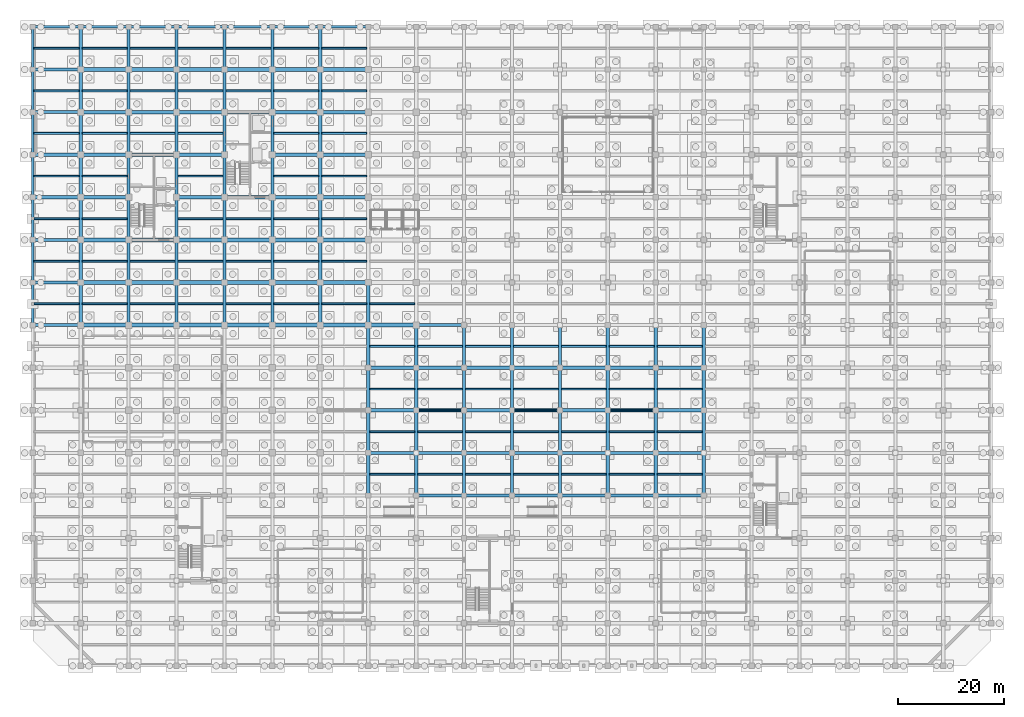
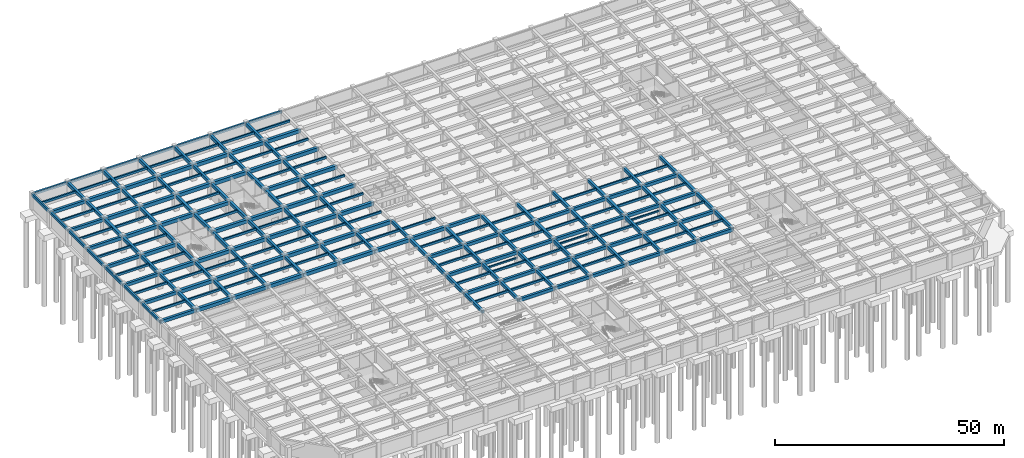
# One storey, part 13 of 31: 242 beams.
"""IFC4 building model written with IfcOpenShell, lengths in metres."""

from ifc_helpers import new_model, si_unit, direction, frame, origin, origin_2d, place, context, subcontext, project, spatial, rectangle, extrude, material, material_profile, profile_set, type_object, element, save


model = new_model("IFC4")

# Units and contexts
model_context = context("Model", 3, precision=1e-05, world=origin(), true_north=direction((0.0, 1.0)))
body_context = subcontext(model_context, "Body", "Model", "MODEL_VIEW")
ifc_project = project(units=[si_unit("LENGTHUNIT", "METRE"), si_unit("AREAUNIT", "SQUARE_METRE"), si_unit("VOLUMEUNIT", "CUBIC_METRE"), si_unit("PLANEANGLEUNIT", "RADIAN"), si_unit("MASSUNIT", "GRAM", prefix="KILO")], contexts=[model_context])

# Site, building, storey
site_placement = place(None, origin())
site = spatial("IfcSite", under=ifc_project, at=site_placement, CompositionType="ELEMENT")
building_placement = place(site_placement, origin())
building = spatial("IfcBuilding", under=site, at=building_placement, Name="Zaverband Oceanarium and Marine Research Institute", CompositionType="ELEMENT")
storey_placement = place(building_placement, frame((0.0, 0.0, -9.0)))
storey = spatial("IfcBuildingStorey", under=building, at=storey_placement, Name="B2", CompositionType="ELEMENT", Elevation=-9.0)

# Beams
ifc_material_1 = material(Name="Concrete C40/50", Category="concrete")
ifc_material_profile_1 = material_profile(ifc_material_1, rectangle(XDim=0.60009765625, YDim=0.85009765625, at=origin_2d()), Name="RC600x850")
ifc_profile_set_1 = profile_set([ifc_material_profile_1], Name="Concrete C40/50")
beam_type_1 = type_object("IfcBeamType", Name="BM-600x850", PredefinedType="BEAM", material=ifc_profile_set_1)
for number, where, z_axis, x_axis, name in (
    (1, (72.0, 32.0, 3.77490234375), (1.0, 0.0, 0.0), (0.0, 1.0, 0.0), "Primary floor girder BM-600x850"),
    (2, (81.0, 32.0, 3.77490234375), (1.0, 0.0, 0.0), (0.0, 1.0, 0.0), "Primary floor girder BM-600x850"),
    (3, (90.0, 32.0, 3.77490234375), (1.0, 0.0, 0.0), (0.0, 1.0, 0.0), "Primary floor girder BM-600x850"),
    (4, (99.0, 32.0, 3.77490234375), (1.0, 0.0, 0.0), (0.0, 1.0, 0.0), "Primary floor girder BM-600x850"),
    (5, (108.0, 32.0, 3.77490234375), (1.0, 0.0, 0.0), (0.0, 1.0, 0.0), "Primary floor girder BM-600x850"),
    (6, (117.0, 32.0, 3.77490234375), (1.0, 0.0, 0.0), (0.0, 1.0, 0.0), "Primary floor girder BM-600x850"),
    (7, (63.0, 40.0, 3.77490234375), (1.0, 0.0, 0.0), (0.0, 1.0, 0.0), "Primary floor girder BM-600x850"),
    (8, (72.0, 40.0, 3.77490234375), (1.0, 0.0, 0.0), (0.0, 1.0, 0.0), "Primary floor girder BM-600x850"),
    (9, (81.0, 40.0, 3.77490234375), (1.0, 0.0, 0.0), (0.0, 1.0, 0.0), "Primary floor girder BM-600x850"),
    (10, (90.0, 40.0, 3.77490234375), (1.0, 0.0, 0.0), (0.0, 1.0, 0.0), "Primary floor girder BM-600x850"),
    (11, (99.0, 40.0, 3.77490234375), (1.0, 0.0, 0.0), (0.0, 1.0, 0.0), "Primary floor girder BM-600x850"),
    (12, (108.0, 40.0, 3.77490234375), (1.0, 0.0, 0.0), (0.0, 1.0, 0.0), "Primary floor girder BM-600x850"),
    (13, (117.0, 40.0, 3.77490234375), (1.0, 0.0, 0.0), (0.0, 1.0, 0.0), "Primary floor girder BM-600x850"),
    (14, (63.0, 48.0, 3.77490234375), (1.0, 0.0, 0.0), (0.0, 1.0, 0.0), "Primary floor girder BM-600x850"),
    (15, (72.0, 48.0, 3.77490234375), (1.0, 0.0, 0.0), (0.0, 1.0, 0.0), "Primary floor girder BM-600x850"),
    (16, (81.0, 48.0, 3.77490234375), (1.0, 0.0, 0.0), (0.0, 1.0, 0.0), "Primary floor girder BM-600x850"),
    (17, (90.0, 48.0, 3.77490234375), (1.0, 0.0, 0.0), (0.0, 1.0, 0.0), "Primary floor girder BM-600x850"),
    (18, (99.0, 48.0, 3.77490234375), (1.0, 0.0, 0.0), (0.0, 1.0, 0.0), "Primary floor girder BM-600x850"),
    (19, (108.0, 48.0, 3.77490234375), (1.0, 0.0, 0.0), (0.0, 1.0, 0.0), "Primary floor girder BM-600x850"),
    (20, (117.0, 48.0, 3.77490234375), (1.0, 0.0, 0.0), (0.0, 1.0, 0.0), "Primary floor girder BM-600x850"),
    (21, (63.0, 56.0, 3.77490234375), (1.0, 0.0, 0.0), (0.0, 1.0, 0.0), "Primary floor girder BM-600x850"),
    (22, (72.0, 56.0, 3.77490234375), (1.0, 0.0, 0.0), (0.0, 1.0, 0.0), "Primary floor girder BM-600x850"),
    (23, (81.0, 56.0, 3.77490234375), (1.0, 0.0, 0.0), (0.0, 1.0, 0.0), "Primary floor girder BM-600x850"),
    (24, (90.0, 56.0, 3.77490234375), (1.0, 0.0, 0.0), (0.0, 1.0, 0.0), "Primary floor girder BM-600x850"),
    (25, (99.0, 56.0, 3.77490234375), (1.0, 0.0, 0.0), (0.0, 1.0, 0.0), "Primary floor girder BM-600x850"),
    (26, (108.0, 56.0, 3.77490234375), (1.0, 0.0, 0.0), (0.0, 1.0, 0.0), "Primary floor girder BM-600x850"),
    (27, (117.0, 56.0, 3.77490234375), (1.0, 0.0, 0.0), (0.0, 1.0, 0.0), "Primary floor girder BM-600x850"),
    (28, (0.0, 64.0, 3.77490234375), (1.0, 0.0, 0.0), (0.0, 1.0, 0.0), "Primary floor girder BM-600x850"),
    (29, (72.0, 64.0, 3.77490234375), (1.0, 0.0, 0.0), (0.0, 1.0, 0.0), "Primary floor girder BM-600x850"),
    (30, (0.0, 72.0, 3.77490234375), (1.0, 0.0, 0.0), (0.0, 1.0, 0.0), "Primary floor girder BM-600x850"),
    (31, (0.0, 80.0, 3.77490234375), (1.0, 0.0, 0.0), (0.0, 1.0, 0.0), "Primary floor girder BM-600x850"),
    (32, (0.0, 88.0, 3.77490234375), (1.0, 0.0, 0.0), (0.0, 1.0, 0.0), "Primary floor girder BM-600x850"),
    (33, (0.0, 96.0, 3.77490234375), (1.0, 0.0, 0.0), (0.0, 1.0, 0.0), "Primary floor girder BM-600x850"),
    (34, (0.0, 104.0, 3.77490234375), (1.0, 0.0, 0.0), (0.0, 1.0, 0.0), "Primary floor girder BM-600x850"),
    (35, (0.0, 112.0, 3.77490234375), (1.0, 0.0, 0.0), (0.0, 1.0, 0.0), "Primary floor girder BM-600x850"),
):
    element("IfcBeam", number, at=place(storey_placement, frame(where, z_axis=z_axis, x_axis=x_axis)), inside=storey, type_object=beam_type_1, Name=name, PredefinedType="BEAM", context=body_context, shape_type="SweptSolid", body=[
        extrude(rectangle(XDim=0.60009765625, YDim=0.85009765625, at=origin_2d()), origin(), (0.0, 0.0, 1.0), 9.0),
    ])
for number, where, z_axis, x_axis, name in (
    (36, (9.0, 64.0, 3.77490234375), (0.0, 1.0, 0.0), (-1.0, 0.0, 0.0), "Primary floor girder BM-600x850"),
    (37, (9.0, 72.0, 3.77490234375), (0.0, 1.0, 0.0), (-1.0, 0.0, 0.0), "Primary floor girder BM-600x850"),
    (38, (9.0, 80.0, 3.77490234375), (0.0, 1.0, 0.0), (-1.0, 0.0, 0.0), "Primary floor girder BM-600x850"),
    (39, (9.0, 88.0, 3.77490234375), (0.0, 1.0, 0.0), (-1.0, 0.0, 0.0), "Primary floor girder BM-600x850"),
    (40, (9.0, 96.0, 3.77490234375), (0.0, 1.0, 0.0), (-1.0, 0.0, 0.0), "Primary floor girder BM-600x850"),
    (41, (9.0, 104.0, 3.77490234375), (0.0, 1.0, 0.0), (-1.0, 0.0, 0.0), "Primary floor girder BM-600x850"),
    (42, (9.0, 112.0, 3.77490234375), (0.0, 1.0, 0.0), (-1.0, 0.0, 0.0), "Primary floor girder BM-600x850"),
    (43, (18.0, 64.0, 3.77490234375), (0.0, 1.0, 0.0), (-1.0, 0.0, 0.0), "Primary floor girder BM-600x850"),
    (44, (18.0, 72.0, 3.77490234375), (0.0, 1.0, 0.0), (-1.0, 0.0, 0.0), "Primary floor girder BM-600x850"),
    (45, (18.0, 80.0, 3.77490234375), (0.0, 1.0, 0.0), (-1.0, 0.0, 0.0), "Primary floor girder BM-600x850"),
    (46, (18.0, 88.0, 3.77490234375), (0.0, 1.0, 0.0), (-1.0, 0.0, 0.0), "Primary floor girder BM-600x850"),
    (47, (18.0, 96.0, 3.77490234375), (0.0, 1.0, 0.0), (-1.0, 0.0, 0.0), "Primary floor girder BM-600x850"),
    (48, (18.0, 104.0, 3.77490234375), (0.0, 1.0, 0.0), (-1.0, 0.0, 0.0), "Primary floor girder BM-600x850"),
    (49, (18.0, 112.0, 3.77490234375), (0.0, 1.0, 0.0), (-1.0, 0.0, 0.0), "Primary floor girder BM-600x850"),
    (50, (27.0, 64.0, 3.77490234375), (0.0, 1.0, 0.0), (-1.0, 0.0, 0.0), "Primary floor girder BM-600x850"),
    (51, (27.0, 72.0, 3.77490234375), (0.0, 1.0, 0.0), (-1.0, 0.0, 0.0), "Primary floor girder BM-600x850"),
    (52, (27.0, 80.0, 3.77490234375), (0.0, 1.0, 0.0), (-1.0, 0.0, 0.0), "Primary floor girder BM-600x850"),
    (53, (27.0, 88.0, 3.77490234375), (0.0, 1.0, 0.0), (-1.0, 0.0, 0.0), "Primary floor girder BM-600x850"),
    (54, (27.0, 96.0, 3.77490234375), (0.0, 1.0, 0.0), (-1.0, 0.0, 0.0), "Primary floor girder BM-600x850"),
    (55, (27.0, 104.0, 3.77490234375), (0.0, 1.0, 0.0), (-1.0, 0.0, 0.0), "Primary floor girder BM-600x850"),
    (56, (27.0, 112.0, 3.77490234375), (0.0, 1.0, 0.0), (-1.0, 0.0, 0.0), "Primary floor girder BM-600x850"),
    (57, (36.0, 64.0, 3.77490234375), (0.0, 1.0, 0.0), (-1.0, 0.0, 0.0), "Primary floor girder BM-600x850"),
    (58, (36.0, 72.0, 3.77490234375), (0.0, 1.0, 0.0), (-1.0, 0.0, 0.0), "Primary floor girder BM-600x850"),
    (59, (36.0, 80.0, 3.77490234375), (0.0, 1.0, 0.0), (-1.0, 0.0, 0.0), "Primary floor girder BM-600x850"),
    (60, (36.0, 88.0, 3.77490234375), (0.0, 1.0, 0.0), (-1.0, 0.0, 0.0), "Primary floor girder BM-600x850"),
    (61, (36.0, 96.0, 3.77490234375), (0.0, 1.0, 0.0), (-1.0, 0.0, 0.0), "Primary floor girder BM-600x850"),
    (62, (36.0, 104.0, 3.77490234375), (0.0, 1.0, 0.0), (-1.0, 0.0, 0.0), "Primary floor girder BM-600x850"),
    (63, (36.0, 112.0, 3.77490234375), (0.0, 1.0, 0.0), (-1.0, 0.0, 0.0), "Primary floor girder BM-600x850"),
    (64, (45.0, 64.0, 3.77490234375), (0.0, 1.0, 0.0), (-1.0, 0.0, 0.0), "Primary floor girder BM-600x850"),
    (65, (45.0, 72.0, 3.77490234375), (0.0, 1.0, 0.0), (-1.0, 0.0, 0.0), "Primary floor girder BM-600x850"),
    (66, (45.0, 80.0, 3.77490234375), (0.0, 1.0, 0.0), (-1.0, 0.0, 0.0), "Primary floor girder BM-600x850"),
    (67, (45.0, 88.0, 3.77490234375), (0.0, 1.0, 0.0), (-1.0, 0.0, 0.0), "Primary floor girder BM-600x850"),
    (68, (45.0, 96.0, 3.77490234375), (0.0, 1.0, 0.0), (-1.0, 0.0, 0.0), "Primary floor girder BM-600x850"),
    (69, (45.0, 104.0, 3.77490234375), (0.0, 1.0, 0.0), (-1.0, 0.0, 0.0), "Primary floor girder BM-600x850"),
    (70, (45.0, 112.0, 3.77490234375), (0.0, 1.0, 0.0), (-1.0, 0.0, 0.0), "Primary floor girder BM-600x850"),
    (71, (54.0, 64.0, 3.77490234375), (0.0, 1.0, 0.0), (-1.0, 0.0, 0.0), "Primary floor girder BM-600x850"),
    (72, (54.0, 72.0, 3.77490234375), (0.0, 1.0, 0.0), (-1.0, 0.0, 0.0), "Primary floor girder BM-600x850"),
    (73, (54.0, 80.0, 3.77490234375), (0.0, 1.0, 0.0), (-1.0, 0.0, 0.0), "Primary floor girder BM-600x850"),
    (74, (54.0, 88.0, 3.77490234375), (0.0, 1.0, 0.0), (-1.0, 0.0, 0.0), "Primary floor girder BM-600x850"),
    (75, (54.0, 96.0, 3.77490234375), (0.0, 1.0, 0.0), (-1.0, 0.0, 0.0), "Primary floor girder BM-600x850"),
    (76, (54.0, 104.0, 3.77490234375), (0.0, 1.0, 0.0), (-1.0, 0.0, 0.0), "Primary floor girder BM-600x850"),
    (77, (54.0, 112.0, 3.77490234375), (0.0, 1.0, 0.0), (-1.0, 0.0, 0.0), "Primary floor girder BM-600x850"),
    (78, (63.0, 32.0, 3.77490234375), (0.0, 1.0, 0.0), (-1.0, 0.0, 0.0), "Primary floor girder BM-600x850"),
    (79, (63.0, 40.0, 3.77490234375), (0.0, 1.0, 0.0), (-1.0, 0.0, 0.0), "Primary floor girder BM-600x850"),
    (80, (63.0, 48.0, 3.77490234375), (0.0, 1.0, 0.0), (-1.0, 0.0, 0.0), "Primary floor girder BM-600x850"),
    (81, (63.0, 56.0, 3.77490234375), (0.0, 1.0, 0.0), (-1.0, 0.0, 0.0), "Primary floor girder BM-600x850"),
    (82, (63.0, 64.0, 3.77490234375), (0.0, 1.0, 0.0), (-1.0, 0.0, 0.0), "Primary floor girder BM-600x850"),
    (83, (72.0, 32.0, 3.77490234375), (0.0, 1.0, 0.0), (-1.0, 0.0, 0.0), "Primary floor girder BM-600x850"),
    (84, (72.0, 40.0, 3.77490234375), (0.0, 1.0, 0.0), (-1.0, 0.0, 0.0), "Primary floor girder BM-600x850"),
    (85, (72.0, 48.0, 3.77490234375), (0.0, 1.0, 0.0), (-1.0, 0.0, 0.0), "Primary floor girder BM-600x850"),
    (86, (72.0, 56.0, 3.77490234375), (0.0, 1.0, 0.0), (-1.0, 0.0, 0.0), "Primary floor girder BM-600x850"),
    (87, (81.0, 32.0, 3.77490234375), (0.0, 1.0, 0.0), (-1.0, 0.0, 0.0), "Primary floor girder BM-600x850"),
    (88, (81.0, 40.0, 3.77490234375), (0.0, 1.0, 0.0), (-1.0, 0.0, 0.0), "Primary floor girder BM-600x850"),
    (89, (81.0, 48.0, 3.77490234375), (0.0, 1.0, 0.0), (-1.0, 0.0, 0.0), "Primary floor girder BM-600x850"),
    (90, (81.0, 56.0, 3.77490234375), (0.0, 1.0, 0.0), (-1.0, 0.0, 0.0), "Primary floor girder BM-600x850"),
    (91, (90.0, 32.0, 3.77490234375), (0.0, 1.0, 0.0), (-1.0, 0.0, 0.0), "Primary floor girder BM-600x850"),
    (92, (90.0, 40.0, 3.77490234375), (0.0, 1.0, 0.0), (-1.0, 0.0, 0.0), "Primary floor girder BM-600x850"),
    (93, (90.0, 48.0, 3.77490234375), (0.0, 1.0, 0.0), (-1.0, 0.0, 0.0), "Primary floor girder BM-600x850"),
    (94, (90.0, 56.0, 3.77490234375), (0.0, 1.0, 0.0), (-1.0, 0.0, 0.0), "Primary floor girder BM-600x850"),
    (95, (99.0, 32.0, 3.77490234375), (0.0, 1.0, 0.0), (-1.0, 0.0, 0.0), "Primary floor girder BM-600x850"),
    (96, (99.0, 40.0, 3.77490234375), (0.0, 1.0, 0.0), (-1.0, 0.0, 0.0), "Primary floor girder BM-600x850"),
    (97, (99.0, 48.0, 3.77490234375), (0.0, 1.0, 0.0), (-1.0, 0.0, 0.0), "Primary floor girder BM-600x850"),
    (98, (99.0, 56.0, 3.77490234375), (0.0, 1.0, 0.0), (-1.0, 0.0, 0.0), "Primary floor girder BM-600x850"),
    (99, (108.0, 32.0, 3.77490234375), (0.0, 1.0, 0.0), (-1.0, 0.0, 0.0), "Primary floor girder BM-600x850"),
    (100, (108.0, 40.0, 3.77490234375), (0.0, 1.0, 0.0), (-1.0, 0.0, 0.0), "Primary floor girder BM-600x850"),
    (101, (108.0, 48.0, 3.77490234375), (0.0, 1.0, 0.0), (-1.0, 0.0, 0.0), "Primary floor girder BM-600x850"),
    (102, (108.0, 56.0, 3.77490234375), (0.0, 1.0, 0.0), (-1.0, 0.0, 0.0), "Primary floor girder BM-600x850"),
    (103, (117.0, 32.0, 3.77490234375), (0.0, 1.0, 0.0), (-1.0, 0.0, 0.0), "Primary floor girder BM-600x850"),
    (104, (117.0, 40.0, 3.77490234375), (0.0, 1.0, 0.0), (-1.0, 0.0, 0.0), "Primary floor girder BM-600x850"),
    (105, (117.0, 48.0, 3.77490234375), (0.0, 1.0, 0.0), (-1.0, 0.0, 0.0), "Primary floor girder BM-600x850"),
    (106, (117.0, 56.0, 3.77490234375), (0.0, 1.0, 0.0), (-1.0, 0.0, 0.0), "Primary floor girder BM-600x850"),
    (107, (126.0, 32.0, 3.77490234375), (0.0, 1.0, 0.0), (-1.0, 0.0, 0.0), "Primary floor girder BM-600x850"),
    (108, (126.0, 40.0, 3.77490234375), (0.0, 1.0, 0.0), (-1.0, 0.0, 0.0), "Primary floor girder BM-600x850"),
    (109, (126.0, 48.0, 3.77490234375), (0.0, 1.0, 0.0), (-1.0, 0.0, 0.0), "Primary floor girder BM-600x850"),
    (110, (126.0, 56.0, 3.77490234375), (0.0, 1.0, 0.0), (-1.0, 0.0, 0.0), "Primary floor girder BM-600x850"),
):
    element("IfcBeam", number, at=place(storey_placement, frame(where, z_axis=z_axis, x_axis=x_axis)), inside=storey, type_object=beam_type_1, Name=name, PredefinedType="BEAM", context=body_context, shape_type="SweptSolid", body=[
        extrude(rectangle(XDim=0.60009765625, YDim=0.85009765625, at=origin_2d()), origin(), (0.0, 0.0, 1.0), 8.0),
    ])
ifc_material_2 = material(Name="Concrete C50/60", Category="concrete")
ifc_material_profile_2 = material_profile(ifc_material_2, rectangle(XDim=0.699951171875, YDim=0.949951171875, at=origin_2d()), Name="RC700x950")
ifc_profile_set_2 = profile_set([ifc_material_profile_2], Name="Concrete C50/60")
beam_type_2 = type_object("IfcBeamType", Name="BM-700x950", PredefinedType="BEAM", material=ifc_profile_set_2)
for number, where, z_axis, x_axis, name in (
    (111, (9.0, 64.0, 3.72509765625), (1.0, 0.0, 0.0), (0.0, 1.0, 0.0), "Primary floor girder BM-700x950"),
    (112, (18.0, 64.0, 3.72509765625), (1.0, 0.0, 0.0), (0.0, 1.0, 0.0), "Primary floor girder BM-700x950"),
    (113, (27.0, 64.0, 3.72509765625), (1.0, 0.0, 0.0), (0.0, 1.0, 0.0), "Primary floor girder BM-700x950"),
    (114, (36.0, 64.0, 3.72509765625), (1.0, 0.0, 0.0), (0.0, 1.0, 0.0), "Primary floor girder BM-700x950"),
    (115, (45.0, 64.0, 3.72509765625), (1.0, 0.0, 0.0), (0.0, 1.0, 0.0), "Primary floor girder BM-700x950"),
    (116, (54.0, 64.0, 3.72509765625), (1.0, 0.0, 0.0), (0.0, 1.0, 0.0), "Primary floor girder BM-700x950"),
    (117, (63.0, 64.0, 3.72509765625), (1.0, 0.0, 0.0), (0.0, 1.0, 0.0), "Primary floor girder BM-700x950"),
    (118, (9.0, 72.0, 3.72509765625), (1.0, 0.0, 0.0), (0.0, 1.0, 0.0), "Primary floor girder BM-700x950"),
    (119, (18.0, 72.0, 3.72509765625), (1.0, 0.0, 0.0), (0.0, 1.0, 0.0), "Primary floor girder BM-700x950"),
    (120, (27.0, 72.0, 3.72509765625), (1.0, 0.0, 0.0), (0.0, 1.0, 0.0), "Primary floor girder BM-700x950"),
    (121, (36.0, 72.0, 3.72509765625), (1.0, 0.0, 0.0), (0.0, 1.0, 0.0), "Primary floor girder BM-700x950"),
    (122, (45.0, 72.0, 3.72509765625), (1.0, 0.0, 0.0), (0.0, 1.0, 0.0), "Primary floor girder BM-700x950"),
    (123, (54.0, 72.0, 3.72509765625), (1.0, 0.0, 0.0), (0.0, 1.0, 0.0), "Primary floor girder BM-700x950"),
    (124, (9.0, 80.0, 3.72509765625), (1.0, 0.0, 0.0), (0.0, 1.0, 0.0), "Primary floor girder BM-700x950"),
    (125, (18.0, 80.0, 3.72509765625), (1.0, 0.0, 0.0), (0.0, 1.0, 0.0), "Primary floor girder BM-700x950"),
    (126, (27.0, 80.0, 3.72509765625), (1.0, 0.0, 0.0), (0.0, 1.0, 0.0), "Primary floor girder BM-700x950"),
    (127, (36.0, 80.0, 3.72509765625), (1.0, 0.0, 0.0), (0.0, 1.0, 0.0), "Primary floor girder BM-700x950"),
    (128, (45.0, 80.0, 3.72509765625), (1.0, 0.0, 0.0), (0.0, 1.0, 0.0), "Primary floor girder BM-700x950"),
    (129, (54.0, 80.0, 3.72509765625), (1.0, 0.0, 0.0), (0.0, 1.0, 0.0), "Primary floor girder BM-700x950"),
    (130, (9.0, 88.0, 3.72509765625), (1.0, 0.0, 0.0), (0.0, 1.0, 0.0), "Primary floor girder BM-700x950"),
    (131, (27.0, 88.0, 3.72509765625), (1.0, 0.0, 0.0), (0.0, 1.0, 0.0), "Primary floor girder BM-700x950"),
    (132, (36.0, 88.0, 3.72509765625), (1.0, 0.0, 0.0), (0.0, 1.0, 0.0), "Primary floor girder BM-700x950"),
    (133, (45.0, 88.0, 3.72509765625), (1.0, 0.0, 0.0), (0.0, 1.0, 0.0), "Primary floor girder BM-700x950"),
    (134, (54.0, 88.0, 3.72509765625), (1.0, 0.0, 0.0), (0.0, 1.0, 0.0), "Primary floor girder BM-700x950"),
    (135, (9.0, 96.0, 3.72509765625), (1.0, 0.0, 0.0), (0.0, 1.0, 0.0), "Primary floor girder BM-700x950"),
    (136, (18.0, 96.0, 3.72509765625), (1.0, 0.0, 0.0), (0.0, 1.0, 0.0), "Primary floor girder BM-700x950"),
    (137, (27.0, 96.0, 3.72509765625), (1.0, 0.0, 0.0), (0.0, 1.0, 0.0), "Primary floor girder BM-700x950"),
    (138, (45.0, 96.0, 3.72509765625), (1.0, 0.0, 0.0), (0.0, 1.0, 0.0), "Primary floor girder BM-700x950"),
    (139, (54.0, 96.0, 3.72509765625), (1.0, 0.0, 0.0), (0.0, 1.0, 0.0), "Primary floor girder BM-700x950"),
    (140, (9.0, 104.0, 3.72509765625), (1.0, 0.0, 0.0), (0.0, 1.0, 0.0), "Primary floor girder BM-700x950"),
    (141, (18.0, 104.0, 3.72509765625), (1.0, 0.0, 0.0), (0.0, 1.0, 0.0), "Primary floor girder BM-700x950"),
    (142, (27.0, 104.0, 3.72509765625), (1.0, 0.0, 0.0), (0.0, 1.0, 0.0), "Primary floor girder BM-700x950"),
    (143, (36.0, 104.0, 3.72509765625), (1.0, 0.0, 0.0), (0.0, 1.0, 0.0), "Primary floor girder BM-700x950"),
    (144, (45.0, 104.0, 3.72509765625), (1.0, 0.0, 0.0), (0.0, 1.0, 0.0), "Primary floor girder BM-700x950"),
    (145, (54.0, 104.0, 3.72509765625), (1.0, 0.0, 0.0), (0.0, 1.0, 0.0), "Primary floor girder BM-700x950"),
    (146, (9.0, 112.0, 3.72509765625), (1.0, 0.0, 0.0), (0.0, 1.0, 0.0), "Primary floor girder BM-700x950"),
    (147, (18.0, 112.0, 3.72509765625), (1.0, 0.0, 0.0), (0.0, 1.0, 0.0), "Primary floor girder BM-700x950"),
    (148, (27.0, 112.0, 3.72509765625), (1.0, 0.0, 0.0), (0.0, 1.0, 0.0), "Primary floor girder BM-700x950"),
    (149, (36.0, 112.0, 3.72509765625), (1.0, 0.0, 0.0), (0.0, 1.0, 0.0), "Primary floor girder BM-700x950"),
    (150, (45.0, 112.0, 3.72509765625), (1.0, 0.0, 0.0), (0.0, 1.0, 0.0), "Primary floor girder BM-700x950"),
    (151, (54.0, 112.0, 3.72509765625), (1.0, 0.0, 0.0), (0.0, 1.0, 0.0), "Primary floor girder BM-700x950"),
):
    element("IfcBeam", number, at=place(storey_placement, frame(where, z_axis=z_axis, x_axis=x_axis)), inside=storey, type_object=beam_type_2, Name=name, PredefinedType="BEAM", context=body_context, shape_type="SweptSolid", body=[
        extrude(rectangle(XDim=0.699951171875, YDim=0.949951171875, at=origin_2d()), origin(), (0.0, 0.0, 1.0), 9.0),
    ])
ifc_material_profile_3 = material_profile(ifc_material_1, rectangle(XDim=0.35009765625, YDim=0.60009765625, at=origin_2d()), Name="RC350x600")
ifc_profile_set_3 = profile_set([ifc_material_profile_3], Name="Concrete C40/50")
beam_type_3 = type_object("IfcBeamType", Name="JST-350x600", PredefinedType="JOIST", material=ifc_profile_set_3)
for number, where, z_axis, x_axis, name in (
    (152, (0.22509765625, 68.0, 3.89990234375), (1.0, 0.0, 0.0), (0.0, 1.0, 0.0), "Secondary floor joist JST-350x600"),
    (153, (0.22509765625, 76.0, 3.89990234375), (1.0, 0.0, 0.0), (0.0, 1.0, 0.0), "Secondary floor joist JST-350x600"),
    (154, (0.22509765625, 84.0, 3.89990234375), (1.0, 0.0, 0.0), (0.0, 1.0, 0.0), "Secondary floor joist JST-350x600"),
    (155, (0.22509765625, 92.0, 3.89990234375), (1.0, 0.0, 0.0), (0.0, 1.0, 0.0), "Secondary floor joist JST-350x600"),
    (156, (0.22509765625, 100.0, 3.89990234375), (1.0, 0.0, 0.0), (0.0, 1.0, 0.0), "Secondary floor joist JST-350x600"),
    (157, (0.22509765625, 108.0, 3.89990234375), (1.0, 0.0, 0.0), (0.0, 1.0, 0.0), "Secondary floor joist JST-350x600"),
    (158, (0.22509765625, 116.0, 3.89990234375), (1.0, 0.0, 0.0), (0.0, 1.0, 0.0), "Secondary floor joist JST-350x600"),
):
    element("IfcBeam", number, at=place(storey_placement, frame(where, z_axis=z_axis, x_axis=x_axis)), inside=storey, type_object=beam_type_3, Name=name, PredefinedType="JOIST", context=body_context, shape_type="SweptSolid", body=[
        extrude(rectangle(XDim=0.35009765625, YDim=0.60009765625, at=origin_2d()), origin(), (0.0, 0.0, 1.0), 8.474853515625),
    ])
for number, where, z_axis, x_axis, name in (
    (159, (9.300048828125, 68.0, 3.89990234375), (1.0, 0.0, 0.0), (0.0, 1.0, 0.0), "Secondary floor joist JST-350x600"),
    (160, (9.300048828125, 76.0, 3.89990234375), (1.0, 0.0, 0.0), (0.0, 1.0, 0.0), "Secondary floor joist JST-350x600"),
    (161, (9.300048828125, 84.0, 3.89990234375), (1.0, 0.0, 0.0), (0.0, 1.0, 0.0), "Secondary floor joist JST-350x600"),
    (162, (9.300048828125, 92.0, 3.89990234375), (1.0, 0.0, 0.0), (0.0, 1.0, 0.0), "Secondary floor joist JST-350x600"),
    (163, (9.300048828125, 100.0, 3.89990234375), (1.0, 0.0, 0.0), (0.0, 1.0, 0.0), "Secondary floor joist JST-350x600"),
    (164, (9.300048828125, 108.0, 3.89990234375), (1.0, 0.0, 0.0), (0.0, 1.0, 0.0), "Secondary floor joist JST-350x600"),
    (165, (9.300048828125, 116.0, 3.89990234375), (1.0, 0.0, 0.0), (0.0, 1.0, 0.0), "Secondary floor joist JST-350x600"),
    (166, (18.300048828125, 68.0, 3.89990234375), (1.0, 0.0, 0.0), (0.0, 1.0, 0.0), "Secondary floor joist JST-350x600"),
    (167, (18.300048828125, 76.0, 3.89990234375), (1.0, 0.0, 0.0), (0.0, 1.0, 0.0), "Secondary floor joist JST-350x600"),
    (168, (18.300048828125, 100.0, 3.89990234375), (1.0, 0.0, 0.0), (0.0, 1.0, 0.0), "Secondary floor joist JST-350x600"),
    (169, (18.300048828125, 108.0, 3.89990234375), (1.0, 0.0, 0.0), (0.0, 1.0, 0.0), "Secondary floor joist JST-350x600"),
    (170, (18.300048828125, 116.0, 3.89990234375), (1.0, 0.0, 0.0), (0.0, 1.0, 0.0), "Secondary floor joist JST-350x600"),
    (171, (27.300048828125, 68.0, 3.89990234375), (1.0, 0.0, 0.0), (0.0, 1.0, 0.0), "Secondary floor joist JST-350x600"),
    (172, (27.300048828125, 76.0, 3.89990234375), (1.0, 0.0, 0.0), (0.0, 1.0, 0.0), "Secondary floor joist JST-350x600"),
    (173, (27.300048828125, 84.0, 3.89990234375), (1.0, 0.0, 0.0), (0.0, 1.0, 0.0), "Secondary floor joist JST-350x600"),
    (174, (27.300048828125, 92.0, 3.89990234375), (1.0, 0.0, 0.0), (0.0, 1.0, 0.0), "Secondary floor joist JST-350x600"),
    (175, (27.300048828125, 100.0, 3.89990234375), (1.0, 0.0, 0.0), (0.0, 1.0, 0.0), "Secondary floor joist JST-350x600"),
    (176, (27.300048828125, 108.0, 3.89990234375), (1.0, 0.0, 0.0), (0.0, 1.0, 0.0), "Secondary floor joist JST-350x600"),
    (177, (27.300048828125, 116.0, 3.89990234375), (1.0, 0.0, 0.0), (0.0, 1.0, 0.0), "Secondary floor joist JST-350x600"),
    (178, (36.300048828125, 68.0, 3.89990234375), (1.0, 0.0, 0.0), (0.0, 1.0, 0.0), "Secondary floor joist JST-350x600"),
    (179, (36.300048828125, 76.0, 3.89990234375), (1.0, 0.0, 0.0), (0.0, 1.0, 0.0), "Secondary floor joist JST-350x600"),
    (180, (36.300048828125, 84.0, 3.89990234375), (1.0, 0.0, 0.0), (0.0, 1.0, 0.0), "Secondary floor joist JST-350x600"),
    (181, (36.300048828125, 108.0, 3.89990234375), (1.0, 0.0, 0.0), (0.0, 1.0, 0.0), "Secondary floor joist JST-350x600"),
    (182, (36.300048828125, 116.0, 3.89990234375), (1.0, 0.0, 0.0), (0.0, 1.0, 0.0), "Secondary floor joist JST-350x600"),
    (183, (45.300048828125, 68.0, 3.89990234375), (1.0, 0.0, 0.0), (0.0, 1.0, 0.0), "Secondary floor joist JST-350x600"),
    (184, (45.300048828125, 76.0, 3.89990234375), (1.0, 0.0, 0.0), (0.0, 1.0, 0.0), "Secondary floor joist JST-350x600"),
    (185, (45.300048828125, 84.0, 3.89990234375), (1.0, 0.0, 0.0), (0.0, 1.0, 0.0), "Secondary floor joist JST-350x600"),
    (186, (45.300048828125, 92.0, 3.89990234375), (1.0, 0.0, 0.0), (0.0, 1.0, 0.0), "Secondary floor joist JST-350x600"),
    (187, (45.300048828125, 100.0, 3.89990234375), (1.0, 0.0, 0.0), (0.0, 1.0, 0.0), "Secondary floor joist JST-350x600"),
    (188, (45.300048828125, 108.0, 3.89990234375), (1.0, 0.0, 0.0), (0.0, 1.0, 0.0), "Secondary floor joist JST-350x600"),
    (189, (45.300048828125, 116.0, 3.89990234375), (1.0, 0.0, 0.0), (0.0, 1.0, 0.0), "Secondary floor joist JST-350x600"),
    (190, (54.300048828125, 68.0, 3.89990234375), (1.0, 0.0, 0.0), (0.0, 1.0, 0.0), "Secondary floor joist JST-350x600"),
    (191, (54.300048828125, 76.0, 3.89990234375), (1.0, 0.0, 0.0), (0.0, 1.0, 0.0), "Secondary floor joist JST-350x600"),
    (192, (54.300048828125, 84.0, 3.89990234375), (1.0, 0.0, 0.0), (0.0, 1.0, 0.0), "Secondary floor joist JST-350x600"),
    (193, (54.300048828125, 92.0, 3.89990234375), (1.0, 0.0, 0.0), (0.0, 1.0, 0.0), "Secondary floor joist JST-350x600"),
    (194, (54.300048828125, 100.0, 3.89990234375), (1.0, 0.0, 0.0), (0.0, 1.0, 0.0), "Secondary floor joist JST-350x600"),
    (195, (54.300048828125, 108.0, 3.89990234375), (1.0, 0.0, 0.0), (0.0, 1.0, 0.0), "Secondary floor joist JST-350x600"),
    (196, (54.300048828125, 116.0, 3.89990234375), (1.0, 0.0, 0.0), (0.0, 1.0, 0.0), "Secondary floor joist JST-350x600"),
    (197, (63.300048828125, 36.0, 3.89990234375), (1.0, 0.0, 0.0), (0.0, 1.0, 0.0), "Secondary floor joist JST-350x600"),
    (198, (63.300048828125, 44.0, 3.89990234375), (1.0, 0.0, 0.0), (0.0, 1.0, 0.0), "Secondary floor joist JST-350x600"),
    (199, (63.300048828125, 52.0, 3.89990234375), (1.0, 0.0, 0.0), (0.0, 1.0, 0.0), "Secondary floor joist JST-350x600"),
    (200, (63.300048828125, 60.0, 3.89990234375), (1.0, 0.0, 0.0), (0.0, 1.0, 0.0), "Secondary floor joist JST-350x600"),
    (201, (63.300048828125, 68.0, 3.89990234375), (1.0, 0.0, 0.0), (0.0, 1.0, 0.0), "Secondary floor joist JST-350x600"),
    (202, (72.300048828125, 36.0, 3.89990234375), (1.0, 0.0, 0.0), (0.0, 1.0, 0.0), "Secondary floor joist JST-350x600"),
    (203, (72.300048828125, 44.0, 3.89990234375), (1.0, 0.0, 0.0), (0.0, 1.0, 0.0), "Secondary floor joist JST-350x600"),
    (204, (72.300048828125, 52.0, 3.89990234375), (1.0, 0.0, 0.0), (0.0, 1.0, 0.0), "Secondary floor joist JST-350x600"),
    (205, (72.300048828125, 60.0, 3.89990234375), (1.0, 0.0, 0.0), (0.0, 1.0, 0.0), "Secondary floor joist JST-350x600"),
    (206, (81.300048828125, 36.0, 3.89990234375), (1.0, 0.0, 0.0), (0.0, 1.0, 0.0), "Secondary floor joist JST-350x600"),
    (207, (81.300048828125, 44.0, 3.89990234375), (1.0, 0.0, 0.0), (0.0, 1.0, 0.0), "Secondary floor joist JST-350x600"),
    (208, (81.300048828125, 52.0, 3.89990234375), (1.0, 0.0, 0.0), (0.0, 1.0, 0.0), "Secondary floor joist JST-350x600"),
    (209, (81.300048828125, 60.0, 3.89990234375), (1.0, 0.0, 0.0), (0.0, 1.0, 0.0), "Secondary floor joist JST-350x600"),
    (210, (90.300048828125, 36.0, 3.89990234375), (1.0, 0.0, 0.0), (0.0, 1.0, 0.0), "Secondary floor joist JST-350x600"),
    (211, (90.300048828125, 44.0, 3.89990234375), (1.0, 0.0, 0.0), (0.0, 1.0, 0.0), "Secondary floor joist JST-350x600"),
    (212, (90.300048828125, 52.0, 3.89990234375), (1.0, 0.0, 0.0), (0.0, 1.0, 0.0), "Secondary floor joist JST-350x600"),
    (213, (90.300048828125, 60.0, 3.89990234375), (1.0, 0.0, 0.0), (0.0, 1.0, 0.0), "Secondary floor joist JST-350x600"),
    (214, (99.300048828125, 36.0, 3.89990234375), (1.0, 0.0, 0.0), (0.0, 1.0, 0.0), "Secondary floor joist JST-350x600"),
    (215, (99.300048828125, 44.0, 3.89990234375), (1.0, 0.0, 0.0), (0.0, 1.0, 0.0), "Secondary floor joist JST-350x600"),
    (216, (99.300048828125, 52.0, 3.89990234375), (1.0, 0.0, 0.0), (0.0, 1.0, 0.0), "Secondary floor joist JST-350x600"),
    (217, (99.300048828125, 60.0, 3.89990234375), (1.0, 0.0, 0.0), (0.0, 1.0, 0.0), "Secondary floor joist JST-350x600"),
    (218, (108.300048828125, 36.0, 3.89990234375), (1.0, 0.0, 0.0), (0.0, 1.0, 0.0), "Secondary floor joist JST-350x600"),
    (219, (108.300048828125, 44.0, 3.89990234375), (1.0, 0.0, 0.0), (0.0, 1.0, 0.0), "Secondary floor joist JST-350x600"),
    (220, (108.300048828125, 52.0, 3.89990234375), (1.0, 0.0, 0.0), (0.0, 1.0, 0.0), "Secondary floor joist JST-350x600"),
    (221, (108.300048828125, 60.0, 3.89990234375), (1.0, 0.0, 0.0), (0.0, 1.0, 0.0), "Secondary floor joist JST-350x600"),
    (222, (117.300048828125, 36.0, 3.89990234375), (1.0, 0.0, 0.0), (0.0, 1.0, 0.0), "Secondary floor joist JST-350x600"),
    (223, (117.300048828125, 44.0, 3.89990234375), (1.0, 0.0, 0.0), (0.0, 1.0, 0.0), "Secondary floor joist JST-350x600"),
    (224, (117.300048828125, 52.0, 3.89990234375), (1.0, 0.0, 0.0), (0.0, 1.0, 0.0), "Secondary floor joist JST-350x600"),
    (225, (117.300048828125, 60.0, 3.89990234375), (1.0, 0.0, 0.0), (0.0, 1.0, 0.0), "Secondary floor joist JST-350x600"),
):
    element("IfcBeam", number, at=place(storey_placement, frame(where, z_axis=z_axis, x_axis=x_axis)), inside=storey, type_object=beam_type_3, Name=name, PredefinedType="JOIST", context=body_context, shape_type="SweptSolid", body=[
        extrude(rectangle(XDim=0.35009765625, YDim=0.60009765625, at=origin_2d()), origin(), (0.0, 0.0, 1.0), 8.39990234375),
    ])
ifc_material_profile_4 = material_profile(ifc_material_1, rectangle(XDim=0.300048828125, YDim=0.39990234375, at=origin_2d()), Name="RC300x400")
ifc_profile_set_4 = profile_set([ifc_material_profile_4], Name="Concrete C40/50")
beam_type_4 = type_object("IfcBeamType", Name="LNT-300x400", PredefinedType="LINTEL", material=ifc_profile_set_4)
for number, where, z_axis, x_axis, name in (
    (226, (72.0, 48.0, 2.25), (1.0, 0.0, 0.0), (0.0, 1.0, 0.0), "Opening lintel beam LNT-300x400"),
    (227, (90.0, 48.0, 2.25), (1.0, 0.0, 0.0), (0.0, 1.0, 0.0), "Opening lintel beam LNT-300x400"),
    (228, (108.0, 48.0, 2.25), (1.0, 0.0, 0.0), (0.0, 1.0, 0.0), "Opening lintel beam LNT-300x400"),
):
    element("IfcBeam", number, at=place(storey_placement, frame(where, z_axis=z_axis, x_axis=x_axis)), inside=storey, type_object=beam_type_4, Name=name, PredefinedType="LINTEL", context=body_context, shape_type="SweptSolid", body=[
        extrude(rectangle(XDim=0.300048828125, YDim=0.39990234375, at=origin_2d()), origin(), (0.0, 0.0, 1.0), 9.0),
    ])
ifc_material_profile_5 = material_profile(ifc_material_1, rectangle(XDim=0.449951171875, YDim=0.699951171875, at=origin_2d()), Name="RC450x700")
ifc_profile_set_5 = profile_set([ifc_material_profile_5], Name="Concrete C40/50")
beam_type_5 = type_object("IfcBeamType", Name="SPN-450x700", PredefinedType="SPANDREL", material=ifc_profile_set_5)
for number, where, z_axis, x_axis, name in (
    (229, (0.0, 120.0, 3.85009765625), (1.0, 0.0, 0.0), (0.0, 1.0, 0.0), "Perimeter spandrel beam SPN-450x700"),
    (230, (9.0, 120.0, 3.85009765625), (1.0, 0.0, 0.0), (0.0, 1.0, 0.0), "Perimeter spandrel beam SPN-450x700"),
    (231, (18.0, 120.0, 3.85009765625), (1.0, 0.0, 0.0), (0.0, 1.0, 0.0), "Perimeter spandrel beam SPN-450x700"),
    (232, (27.0, 120.0, 3.85009765625), (1.0, 0.0, 0.0), (0.0, 1.0, 0.0), "Perimeter spandrel beam SPN-450x700"),
    (233, (36.0, 120.0, 3.85009765625), (1.0, 0.0, 0.0), (0.0, 1.0, 0.0), "Perimeter spandrel beam SPN-450x700"),
    (234, (45.0, 120.0, 3.85009765625), (1.0, 0.0, 0.0), (0.0, 1.0, 0.0), "Perimeter spandrel beam SPN-450x700"),
    (235, (54.0, 120.0, 3.85009765625), (1.0, 0.0, 0.0), (0.0, 1.0, 0.0), "Perimeter spandrel beam SPN-450x700"),
):
    element("IfcBeam", number, at=place(storey_placement, frame(where, z_axis=z_axis, x_axis=x_axis)), inside=storey, type_object=beam_type_5, Name=name, PredefinedType="SPANDREL", context=body_context, shape_type="SweptSolid", body=[
        extrude(rectangle(XDim=0.449951171875, YDim=0.699951171875, at=origin_2d()), origin(), (0.0, 0.0, 1.0), 9.0),
    ])
for number, where, z_axis, x_axis, name in (
    (236, (0.0, 64.0, 3.85009765625), (0.0, 1.0, 0.0), (-1.0, 0.0, 0.0), "Perimeter spandrel beam SPN-450x700"),
    (237, (0.0, 72.0, 3.85009765625), (0.0, 1.0, 0.0), (-1.0, 0.0, 0.0), "Perimeter spandrel beam SPN-450x700"),
    (238, (0.0, 80.0, 3.85009765625), (0.0, 1.0, 0.0), (-1.0, 0.0, 0.0), "Perimeter spandrel beam SPN-450x700"),
    (239, (0.0, 88.0, 3.85009765625), (0.0, 1.0, 0.0), (-1.0, 0.0, 0.0), "Perimeter spandrel beam SPN-450x700"),
    (240, (0.0, 96.0, 3.85009765625), (0.0, 1.0, 0.0), (-1.0, 0.0, 0.0), "Perimeter spandrel beam SPN-450x700"),
    (241, (0.0, 104.0, 3.85009765625), (0.0, 1.0, 0.0), (-1.0, 0.0, 0.0), "Perimeter spandrel beam SPN-450x700"),
    (242, (0.0, 112.0, 3.85009765625), (0.0, 1.0, 0.0), (-1.0, 0.0, 0.0), "Perimeter spandrel beam SPN-450x700"),
):
    element("IfcBeam", number, at=place(storey_placement, frame(where, z_axis=z_axis, x_axis=x_axis)), inside=storey, type_object=beam_type_5, Name=name, PredefinedType="SPANDREL", context=body_context, shape_type="SweptSolid", body=[
        extrude(rectangle(XDim=0.449951171875, YDim=0.699951171875, at=origin_2d()), origin(), (0.0, 0.0, 1.0), 8.0),
    ])

save(model, "model.ifc")
